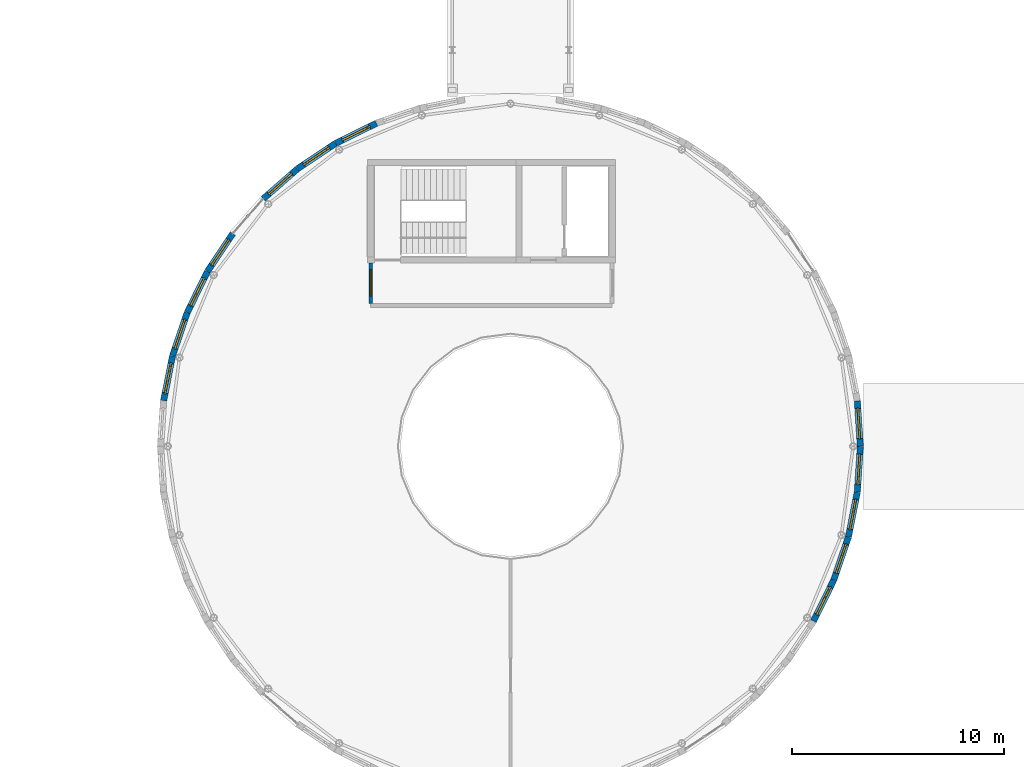
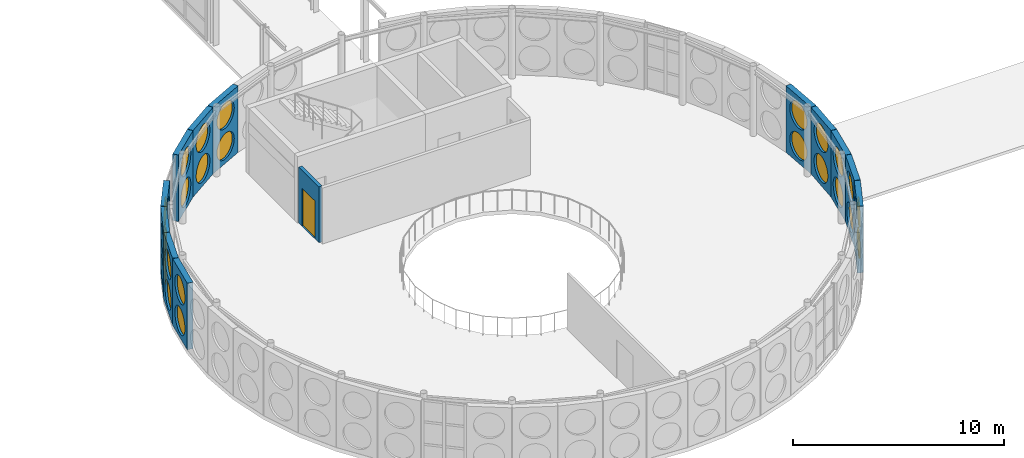
# One storey, part 160 of 189: 24 windows, 13 walls, 1 door, 25 openings.
"""IFC4 building model written with IfcOpenShell, lengths in metres."""

from ifc_helpers import new_model, si_unit, direction, frame, frame_2d, origin, place, context, subcontext, project, spatial, rectangle, circle, extrude, material, layer, layer_set, type_object, element, fill, save


model = new_model("IFC4")

# Units and contexts
model_context = context("Model", 3, precision=1e-05, world=origin(), true_north=direction((0.0, 1.0)))
body_context = subcontext(model_context, "Body", "Model", "MODEL_VIEW")
ifc_project = project(units=[si_unit("LENGTHUNIT", "METRE"), si_unit("AREAUNIT", "SQUARE_METRE"), si_unit("VOLUMEUNIT", "CUBIC_METRE"), si_unit("PLANEANGLEUNIT", "RADIAN"), si_unit("MASSUNIT", "GRAM", prefix="KILO")], contexts=[model_context])

# Site, building, storey
site_placement = place(None, origin())
site = spatial("IfcSite", under=ifc_project, at=site_placement, CompositionType="ELEMENT")
building_placement = place(site_placement, origin())
building = spatial("IfcBuilding", under=site, at=building_placement, Name="Montecoro Central Library", CompositionType="ELEMENT")
storey_placement = place(building_placement, frame((0.0, 0.0, 9.179931640625)))
storey = spatial("IfcBuildingStorey", under=building, at=storey_placement, Name="L02", CompositionType="ELEMENT", Elevation=9.179931640625)

# Wall, openings, windows
ifc_material_1 = material(Name="Travertine Roman Stone and concrete C35/45", Category="masonry")
ifc_layer_1 = layer(ifc_material_1, 0.294921875)
ifc_layer_set_1 = layer_set([ifc_layer_1], Name="Travertine Roman Stone and concrete C35/45")
wall_type_1 = type_object("IfcWallType", Name="EW-DRM-295", PredefinedType="SOLIDWALL", material=ifc_layer_set_1)
wall_1_placement = place(storey_placement, frame((108.118896484375, 35.407958984375, 0.0), z_axis=(0.0, 0.0, 1.0), x_axis=(-0.064773567518, 0.997899987449, 0.0)))
wall_1 = element("IfcWall", 1, at=wall_1_placement, inside=storey, type_object=wall_type_1, Name="V1-L02-EW-01", PredefinedType="SOLIDWALL", context=body_context, shape_type="SweptSolid", body=[
    extrude(rectangle(XDim=2.14453125, YDim=0.294921875, at=frame_2d((1.072265625, 0.0))), origin(), (0.0, 0.0, 1.0), 3.85498046875),
])
opening_1_placement = place(wall_1_placement, frame((0.33203125, 0.0, 0.25)))
opening_1 = element("IfcOpeningElement", 2, at=opening_1_placement, cuts=wall_1, Name="Opening WP-04", PredefinedType="OPENING", context=body_context, shape_type="SweptSolid", body=[
    extrude(circle(Radius=0.739990234375, at=frame_2d((0.739990234375, 0.739990234375))), frame((0.0, 0.157470703125, 0.0), z_axis=(0.0, -1.0, 0.0), x_axis=(1.0, 0.0, 0.0)), (0.0, 0.0, 1.0), 0.31494140625),
])
opening_2_placement = place(wall_1_placement, frame((0.33203125, 0.0, 2.030029296875)))
opening_2 = element("IfcOpeningElement", 3, at=opening_2_placement, cuts=wall_1, Name="Opening WP-03", PredefinedType="OPENING", context=body_context, shape_type="SweptSolid", body=[
    extrude(circle(Radius=0.739990234375, at=frame_2d((0.739990234375, 0.739990234375))), frame((0.0, 0.157470703125, 0.0), z_axis=(0.0, -1.0, 0.0), x_axis=(1.0, 0.0, 0.0)), (0.0, 0.0, 1.0), 0.31494140625),
])
ifc_material_2 = material(Name="Clear sky-blue low-E laminated glazing", Category="glass")
window_type_1 = type_object("IfcWindowType", Name="WN-POR-CLR-148", PartitioningType="SINGLE_PANEL", PredefinedType="WINDOW", material=ifc_material_2)
window_1_placement = place(opening_2_placement, origin())
window_1 = element("IfcWindow", 4, at=window_1_placement, inside=storey, type_object=window_type_1, Name="V1-L02-WP-01-2", OverallHeight=1.47998046875, OverallWidth=1.47998046875, PartitioningType="SINGLE_PANEL", PredefinedType="WINDOW", context=body_context, shape_type="SweptSolid", body=[
    extrude(circle(Radius=0.739990234375, at=frame_2d((0.739990234375, 0.739990234375))), frame((0.0, 0.030029296875, 0.0), z_axis=(0.0, -1.0, 0.0), x_axis=(1.0, 0.0, 0.0)), (0.0, 0.0, 1.0), 0.06005859375),
])
fill(opening_2, window_1)
ifc_material_3 = material(Name="Frosted pearl-white ceramic-fritted glazing", Category="glass")
window_type_2 = type_object("IfcWindowType", Name="WN-POR-FRT-148", PartitioningType="SINGLE_PANEL", PredefinedType="WINDOW", material=ifc_material_3)
window_2_placement = place(opening_1_placement, origin())
window_2 = element("IfcWindow", 5, at=window_2_placement, inside=storey, type_object=window_type_2, Name="V1-L02-WP-01-1", OverallHeight=1.47998046875, OverallWidth=1.47998046875, PartitioningType="SINGLE_PANEL", PredefinedType="WINDOW", context=body_context, shape_type="SweptSolid", body=[
    extrude(circle(Radius=0.739990234375, at=frame_2d((0.739990234375, 0.739990234375))), frame((0.0, 0.030029296875, 0.0), z_axis=(0.0, -1.0, 0.0), x_axis=(1.0, 0.0, 0.0)), (0.0, 0.0, 1.0), 0.06005859375),
])
fill(opening_1, window_2)

wall_2_placement = place(storey_placement, frame((85.27099609375, 50.657958984375, 0.0), z_axis=(0.0, 0.0, 1.0), x_axis=(-0.897210232885, -0.441603666205, 0.0)))
wall_2 = element("IfcWall", 6, at=wall_2_placement, inside=storey, type_object=wall_type_1, Name="V1-L02-EW-16", PredefinedType="SOLIDWALL", context=body_context, shape_type="SweptSolid", body=[
    extrude(rectangle(XDim=2.14453125, YDim=0.294921875, at=frame_2d((1.072265625, 0.0))), origin(), (0.0, 0.0, 1.0), 3.85498046875),
])
opening_3_placement = place(wall_2_placement, frame((0.33203125, 0.0, 0.25)))
opening_3 = element("IfcOpeningElement", 7, at=opening_3_placement, cuts=wall_2, Name="Opening WP-03", PredefinedType="OPENING", context=body_context, shape_type="SweptSolid", body=[
    extrude(circle(Radius=0.739990234375, at=frame_2d((0.739990234375, 0.739990234375))), frame((0.0, 0.157470703125, 0.0), z_axis=(0.0, -1.0, 0.0), x_axis=(1.0, 0.0, 0.0)), (0.0, 0.0, 1.0), 0.31494140625),
])
opening_4_placement = place(wall_2_placement, frame((0.33203125, 0.0, 2.030029296875)))
opening_4 = element("IfcOpeningElement", 8, at=opening_4_placement, cuts=wall_2, Name="Opening WP-04", PredefinedType="OPENING", context=body_context, shape_type="SweptSolid", body=[
    extrude(circle(Radius=0.739990234375, at=frame_2d((0.739990234375, 0.739990234375))), frame((0.0, 0.157470703125, 0.0), z_axis=(0.0, -1.0, 0.0), x_axis=(1.0, 0.0, 0.0)), (0.0, 0.0, 1.0), 0.31494140625),
])
window_3_placement = place(opening_3_placement, origin())
window_3 = element("IfcWindow", 9, at=window_3_placement, inside=storey, type_object=window_type_1, Name="V1-L02-WP-16-1", OverallHeight=1.47998046875, OverallWidth=1.47998046875, PartitioningType="SINGLE_PANEL", PredefinedType="WINDOW", context=body_context, shape_type="SweptSolid", body=[
    extrude(circle(Radius=0.739990234375, at=frame_2d((0.739990234375, 0.739990234375))), frame((0.0, 0.030029296875, 0.0), z_axis=(0.0, -1.0, 0.0), x_axis=(1.0, 0.0, 0.0)), (0.0, 0.0, 1.0), 0.06005859375),
])
fill(opening_3, window_3)
window_4_placement = place(opening_4_placement, origin())
window_4 = element("IfcWindow", 10, at=window_4_placement, inside=storey, type_object=window_type_2, Name="V1-L02-WP-16-2", OverallHeight=1.47998046875, OverallWidth=1.47998046875, PartitioningType="SINGLE_PANEL", PredefinedType="WINDOW", context=body_context, shape_type="SweptSolid", body=[
    extrude(circle(Radius=0.739990234375, at=frame_2d((0.739990234375, 0.739990234375))), frame((0.0, 0.030029296875, 0.0), z_axis=(0.0, -1.0, 0.0), x_axis=(1.0, 0.0, 0.0)), (0.0, 0.0, 1.0), 0.06005859375),
])
fill(opening_4, window_4)

wall_3_placement = place(storey_placement, frame((83.3330078125, 49.702880859375, 0.0), z_axis=(0.0, 0.0, 1.0), x_axis=(-0.831138710759, -0.556065143197, 0.0)))
wall_3 = element("IfcWall", 11, at=wall_3_placement, inside=storey, type_object=wall_type_1, Name="V1-L02-EW-17", PredefinedType="SOLIDWALL", context=body_context, shape_type="SweptSolid", body=[
    extrude(rectangle(XDim=2.145263671875, YDim=0.294921875, at=frame_2d((1.07275390625, 0.0))), origin(), (0.0, 0.0, 1.0), 3.85498046875),
])
opening_5_placement = place(wall_3_placement, frame((0.3330078125, 0.0, 0.25)))
opening_5 = element("IfcOpeningElement", 12, at=opening_5_placement, cuts=wall_3, Name="Opening WP-04", PredefinedType="OPENING", context=body_context, shape_type="SweptSolid", body=[
    extrude(circle(Radius=0.739990234375, at=frame_2d((0.739990234375, 0.739990234375))), frame((0.0, 0.157470703125, 0.0), z_axis=(0.0, -1.0, 0.0), x_axis=(1.0, 0.0, 0.0)), (0.0, 0.0, 1.0), 0.31494140625),
])
opening_6_placement = place(wall_3_placement, frame((0.3330078125, 0.0, 2.030029296875)))
opening_6 = element("IfcOpeningElement", 13, at=opening_6_placement, cuts=wall_3, Name="Opening WP-03", PredefinedType="OPENING", context=body_context, shape_type="SweptSolid", body=[
    extrude(circle(Radius=0.739990234375, at=frame_2d((0.739990234375, 0.739990234375))), frame((0.0, 0.157470703125, 0.0), z_axis=(0.0, -1.0, 0.0), x_axis=(1.0, 0.0, 0.0)), (0.0, 0.0, 1.0), 0.31494140625),
])
window_5_placement = place(opening_6_placement, origin())
window_5 = element("IfcWindow", 14, at=window_5_placement, inside=storey, type_object=window_type_1, Name="V1-L02-WP-17-2", OverallHeight=1.47998046875, OverallWidth=1.47998046875, PartitioningType="SINGLE_PANEL", PredefinedType="WINDOW", context=body_context, shape_type="SweptSolid", body=[
    extrude(circle(Radius=0.739990234375, at=frame_2d((0.739990234375, 0.739990234375))), frame((0.0, 0.030029296875, 0.0), z_axis=(0.0, -1.0, 0.0), x_axis=(1.0, 0.0, 0.0)), (0.0, 0.0, 1.0), 0.06005859375),
])
fill(opening_6, window_5)
window_6_placement = place(opening_5_placement, origin())
window_6 = element("IfcWindow", 15, at=window_6_placement, inside=storey, type_object=window_type_2, Name="V1-L02-WP-17-1", OverallHeight=1.47998046875, OverallWidth=1.47998046875, PartitioningType="SINGLE_PANEL", PredefinedType="WINDOW", context=body_context, shape_type="SweptSolid", body=[
    extrude(circle(Radius=0.739990234375, at=frame_2d((0.739990234375, 0.739990234375))), frame((0.0, 0.030029296875, 0.0), z_axis=(0.0, -1.0, 0.0), x_axis=(1.0, 0.0, 0.0)), (0.0, 0.0, 1.0), 0.06005859375),
])
fill(opening_5, window_6)

wall_4_placement = place(storey_placement, frame((81.537109375, 48.5009765625, 0.0), z_axis=(0.0, 0.0, 1.0), x_axis=(-0.751539314958, -0.659688303725, 0.0)))
wall_4 = element("IfcWall", 16, at=wall_4_placement, inside=storey, type_object=wall_type_1, Name="V1-L02-EW-18", PredefinedType="SOLIDWALL", context=body_context, shape_type="SweptSolid", body=[
    extrude(rectangle(XDim=2.14501953125, YDim=0.294921875, at=frame_2d((1.072509765625, 0.0))), origin(), (0.0, 0.0, 1.0), 3.85498046875),
])
opening_7_placement = place(wall_4_placement, frame((0.33203125, 0.0, 0.25)))
opening_7 = element("IfcOpeningElement", 17, at=opening_7_placement, cuts=wall_4, Name="Opening WP-03", PredefinedType="OPENING", context=body_context, shape_type="SweptSolid", body=[
    extrude(circle(Radius=0.739990234375, at=frame_2d((0.739990234375, 0.739990234375))), frame((0.0, 0.157470703125, 0.0), z_axis=(0.0, -1.0, 0.0), x_axis=(1.0, 0.0, 0.0)), (0.0, 0.0, 1.0), 0.31494140625),
])
opening_8_placement = place(wall_4_placement, frame((0.33203125, 0.0, 2.030029296875)))
opening_8 = element("IfcOpeningElement", 18, at=opening_8_placement, cuts=wall_4, Name="Opening WP-04", PredefinedType="OPENING", context=body_context, shape_type="SweptSolid", body=[
    extrude(circle(Radius=0.739990234375, at=frame_2d((0.739990234375, 0.739990234375))), frame((0.0, 0.157470703125, 0.0), z_axis=(0.0, -1.0, 0.0), x_axis=(1.0, 0.0, 0.0)), (0.0, 0.0, 1.0), 0.31494140625),
])
window_7_placement = place(opening_7_placement, origin())
window_7 = element("IfcWindow", 19, at=window_7_placement, inside=storey, type_object=window_type_1, Name="V1-L02-WP-18-1", OverallHeight=1.47998046875, OverallWidth=1.47998046875, PartitioningType="SINGLE_PANEL", PredefinedType="WINDOW", context=body_context, shape_type="SweptSolid", body=[
    extrude(circle(Radius=0.739990234375, at=frame_2d((0.739990234375, 0.739990234375))), frame((0.0, 0.030029296875, 0.0), z_axis=(0.0, -1.0, 0.0), x_axis=(1.0, 0.0, 0.0)), (0.0, 0.0, 1.0), 0.06005859375),
])
fill(opening_7, window_7)
window_8_placement = place(opening_8_placement, origin())
window_8 = element("IfcWindow", 20, at=window_8_placement, inside=storey, type_object=window_type_2, Name="V1-L02-WP-18-2", OverallHeight=1.47998046875, OverallWidth=1.47998046875, PartitioningType="SINGLE_PANEL", PredefinedType="WINDOW", context=body_context, shape_type="SweptSolid", body=[
    extrude(circle(Radius=0.739990234375, at=frame_2d((0.739990234375, 0.739990234375))), frame((0.0, 0.030029296875, 0.0), z_axis=(0.0, -1.0, 0.0), x_axis=(1.0, 0.0, 0.0)), (0.0, 0.0, 1.0), 0.06005859375),
])
fill(opening_8, window_8)

wall_5_placement = place(storey_placement, frame((78.489990234375, 45.449951171875, 0.0), z_axis=(0.0, 0.0, 1.0), x_axis=(-0.556065143197, -0.831138710759, 0.0)))
wall_5 = element("IfcWall", 21, at=wall_5_placement, inside=storey, type_object=wall_type_1, Name="V1-L02-EW-20", PredefinedType="SOLIDWALL", context=body_context, shape_type="SweptSolid", body=[
    extrude(rectangle(XDim=2.145263671875, YDim=0.294921875, at=frame_2d((1.07275390625, 0.0))), origin(), (0.0, 0.0, 1.0), 3.85498046875),
])
opening_9_placement = place(wall_5_placement, frame((0.3330078125, 0.0, 0.25)))
opening_9 = element("IfcOpeningElement", 22, at=opening_9_placement, cuts=wall_5, Name="Opening WP-03", PredefinedType="OPENING", context=body_context, shape_type="SweptSolid", body=[
    extrude(circle(Radius=0.739990234375, at=frame_2d((0.739990234375, 0.739990234375))), frame((0.0, 0.157470703125, 0.0), z_axis=(0.0, -1.0, 0.0), x_axis=(1.0, 0.0, 0.0)), (0.0, 0.0, 1.0), 0.31494140625),
])
opening_10_placement = place(wall_5_placement, frame((0.3330078125, 0.0, 2.030029296875)))
opening_10 = element("IfcOpeningElement", 23, at=opening_10_placement, cuts=wall_5, Name="Opening WP-04", PredefinedType="OPENING", context=body_context, shape_type="SweptSolid", body=[
    extrude(circle(Radius=0.739990234375, at=frame_2d((0.739990234375, 0.739990234375))), frame((0.0, 0.157470703125, 0.0), z_axis=(0.0, -1.0, 0.0), x_axis=(1.0, 0.0, 0.0)), (0.0, 0.0, 1.0), 0.31494140625),
])
window_9_placement = place(opening_9_placement, origin())
window_9 = element("IfcWindow", 24, at=window_9_placement, inside=storey, type_object=window_type_1, Name="V1-L02-WP-20-1", OverallHeight=1.47998046875, OverallWidth=1.47998046875, PartitioningType="SINGLE_PANEL", PredefinedType="WINDOW", context=body_context, shape_type="SweptSolid", body=[
    extrude(circle(Radius=0.739990234375, at=frame_2d((0.739990234375, 0.739990234375))), frame((0.0, 0.030029296875, 0.0), z_axis=(0.0, -1.0, 0.0), x_axis=(1.0, 0.0, 0.0)), (0.0, 0.0, 1.0), 0.06005859375),
])
fill(opening_9, window_9)
window_10_placement = place(opening_10_placement, origin())
window_10 = element("IfcWindow", 25, at=window_10_placement, inside=storey, type_object=window_type_2, Name="V1-L02-WP-20-2", OverallHeight=1.47998046875, OverallWidth=1.47998046875, PartitioningType="SINGLE_PANEL", PredefinedType="WINDOW", context=body_context, shape_type="SweptSolid", body=[
    extrude(circle(Radius=0.739990234375, at=frame_2d((0.739990234375, 0.739990234375))), frame((0.0, 0.030029296875, 0.0), z_axis=(0.0, -1.0, 0.0), x_axis=(1.0, 0.0, 0.0)), (0.0, 0.0, 1.0), 0.06005859375),
])
fill(opening_10, window_10)

wall_6_placement = place(storey_placement, frame((77.2890625, 43.653076171875, 0.0), z_axis=(0.0, 0.0, 1.0), x_axis=(-0.441603666205, -0.897210232885, 0.0)))
wall_6 = element("IfcWall", 26, at=wall_6_placement, inside=storey, type_object=wall_type_1, Name="V1-L02-EW-21", PredefinedType="SOLIDWALL", context=body_context, shape_type="SweptSolid", body=[
    extrude(rectangle(XDim=2.14453125, YDim=0.294921875, at=frame_2d((1.072265625, 0.0))), origin(), (0.0, 0.0, 1.0), 3.85498046875),
])
opening_11_placement = place(wall_6_placement, frame((0.33203125, 0.0, 0.25)))
opening_11 = element("IfcOpeningElement", 27, at=opening_11_placement, cuts=wall_6, Name="Opening WP-04", PredefinedType="OPENING", context=body_context, shape_type="SweptSolid", body=[
    extrude(circle(Radius=0.739990234375, at=frame_2d((0.739990234375, 0.739990234375))), frame((0.0, 0.157470703125, 0.0), z_axis=(0.0, -1.0, 0.0), x_axis=(1.0, 0.0, 0.0)), (0.0, 0.0, 1.0), 0.31494140625),
])
opening_12_placement = place(wall_6_placement, frame((0.33203125, 0.0, 2.030029296875)))
opening_12 = element("IfcOpeningElement", 28, at=opening_12_placement, cuts=wall_6, Name="Opening WP-03", PredefinedType="OPENING", context=body_context, shape_type="SweptSolid", body=[
    extrude(circle(Radius=0.739990234375, at=frame_2d((0.739990234375, 0.739990234375))), frame((0.0, 0.157470703125, 0.0), z_axis=(0.0, -1.0, 0.0), x_axis=(1.0, 0.0, 0.0)), (0.0, 0.0, 1.0), 0.31494140625),
])
window_11_placement = place(opening_12_placement, origin())
window_11 = element("IfcWindow", 29, at=window_11_placement, inside=storey, type_object=window_type_1, Name="V1-L02-WP-21-2", OverallHeight=1.47998046875, OverallWidth=1.47998046875, PartitioningType="SINGLE_PANEL", PredefinedType="WINDOW", context=body_context, shape_type="SweptSolid", body=[
    extrude(circle(Radius=0.739990234375, at=frame_2d((0.739990234375, 0.739990234375))), frame((0.0, 0.030029296875, 0.0), z_axis=(0.0, -1.0, 0.0), x_axis=(1.0, 0.0, 0.0)), (0.0, 0.0, 1.0), 0.06005859375),
])
fill(opening_12, window_11)
window_12_placement = place(opening_11_placement, origin())
window_12 = element("IfcWindow", 30, at=window_12_placement, inside=storey, type_object=window_type_2, Name="V1-L02-WP-21-1", OverallHeight=1.47998046875, OverallWidth=1.47998046875, PartitioningType="SINGLE_PANEL", PredefinedType="WINDOW", context=body_context, shape_type="SweptSolid", body=[
    extrude(circle(Radius=0.739990234375, at=frame_2d((0.739990234375, 0.739990234375))), frame((0.0, 0.030029296875, 0.0), z_axis=(0.0, -1.0, 0.0), x_axis=(1.0, 0.0, 0.0)), (0.0, 0.0, 1.0), 0.06005859375),
])
fill(opening_11, window_12)

wall_7_placement = place(storey_placement, frame((76.3349609375, 41.714111328125, 0.0), z_axis=(0.0, 0.0, 1.0), x_axis=(-0.321382058047, -0.946949614692, 0.0)))
wall_7 = element("IfcWall", 31, at=wall_7_placement, inside=storey, type_object=wall_type_1, Name="V1-L02-EW-22", PredefinedType="SOLIDWALL", context=body_context, shape_type="SweptSolid", body=[
    extrude(rectangle(XDim=2.143798828125, YDim=0.294921875, at=frame_2d((1.07177734375, 0.0))), origin(), (0.0, 0.0, 1.0), 3.85498046875),
])
opening_13_placement = place(wall_7_placement, frame((0.33203125, 0.0, 0.25)))
opening_13 = element("IfcOpeningElement", 32, at=opening_13_placement, cuts=wall_7, Name="Opening WP-03", PredefinedType="OPENING", context=body_context, shape_type="SweptSolid", body=[
    extrude(circle(Radius=0.739990234375, at=frame_2d((0.739990234375, 0.739990234375))), frame((0.0, 0.157470703125, 0.0), z_axis=(0.0, -1.0, 0.0), x_axis=(1.0, 0.0, 0.0)), (0.0, 0.0, 1.0), 0.31494140625),
])
opening_14_placement = place(wall_7_placement, frame((0.33203125, 0.0, 2.030029296875)))
opening_14 = element("IfcOpeningElement", 33, at=opening_14_placement, cuts=wall_7, Name="Opening WP-04", PredefinedType="OPENING", context=body_context, shape_type="SweptSolid", body=[
    extrude(circle(Radius=0.739990234375, at=frame_2d((0.739990234375, 0.739990234375))), frame((0.0, 0.157470703125, 0.0), z_axis=(0.0, -1.0, 0.0), x_axis=(1.0, 0.0, 0.0)), (0.0, 0.0, 1.0), 0.31494140625),
])
window_13_placement = place(opening_13_placement, origin())
window_13 = element("IfcWindow", 34, at=window_13_placement, inside=storey, type_object=window_type_1, Name="V1-L02-WP-22-1", OverallHeight=1.47998046875, OverallWidth=1.47998046875, PartitioningType="SINGLE_PANEL", PredefinedType="WINDOW", context=body_context, shape_type="SweptSolid", body=[
    extrude(circle(Radius=0.739990234375, at=frame_2d((0.739990234375, 0.739990234375))), frame((0.0, 0.030029296875, 0.0), z_axis=(0.0, -1.0, 0.0), x_axis=(1.0, 0.0, 0.0)), (0.0, 0.0, 1.0), 0.06005859375),
])
fill(opening_13, window_13)
window_14_placement = place(opening_14_placement, origin())
window_14 = element("IfcWindow", 35, at=window_14_placement, inside=storey, type_object=window_type_2, Name="V1-L02-WP-22-2", OverallHeight=1.47998046875, OverallWidth=1.47998046875, PartitioningType="SINGLE_PANEL", PredefinedType="WINDOW", context=body_context, shape_type="SweptSolid", body=[
    extrude(circle(Radius=0.739990234375, at=frame_2d((0.739990234375, 0.739990234375))), frame((0.0, 0.030029296875, 0.0), z_axis=(0.0, -1.0, 0.0), x_axis=(1.0, 0.0, 0.0)), (0.0, 0.0, 1.0), 0.06005859375),
])
fill(opening_14, window_14)

wall_8_placement = place(storey_placement, frame((75.64111328125, 39.66796875, 0.0), z_axis=(0.0, 0.0, 1.0), x_axis=(-0.194956014446, -0.98081198628, 0.0)))
wall_8 = element("IfcWall", 36, at=wall_8_placement, inside=storey, type_object=wall_type_1, Name="V1-L02-EW-23", PredefinedType="SOLIDWALL", context=body_context, shape_type="SweptSolid", body=[
    extrude(rectangle(XDim=2.145263671875, YDim=0.294921875, at=frame_2d((1.07275390625, 0.0))), origin(), (0.0, 0.0, 1.0), 3.85498046875),
])
opening_15_placement = place(wall_8_placement, frame((0.3330078125, 0.0, 0.25)))
opening_15 = element("IfcOpeningElement", 37, at=opening_15_placement, cuts=wall_8, Name="Opening WP-04", PredefinedType="OPENING", context=body_context, shape_type="SweptSolid", body=[
    extrude(circle(Radius=0.739990234375, at=frame_2d((0.739990234375, 0.739990234375))), frame((0.0, 0.157470703125, 0.0), z_axis=(0.0, -1.0, 0.0), x_axis=(1.0, 0.0, 0.0)), (0.0, 0.0, 1.0), 0.31494140625),
])
opening_16_placement = place(wall_8_placement, frame((0.3330078125, 0.0, 2.030029296875)))
opening_16 = element("IfcOpeningElement", 38, at=opening_16_placement, cuts=wall_8, Name="Opening WP-03", PredefinedType="OPENING", context=body_context, shape_type="SweptSolid", body=[
    extrude(circle(Radius=0.739990234375, at=frame_2d((0.739990234375, 0.739990234375))), frame((0.0, 0.157470703125, 0.0), z_axis=(0.0, -1.0, 0.0), x_axis=(1.0, 0.0, 0.0)), (0.0, 0.0, 1.0), 0.31494140625),
])
window_15_placement = place(opening_16_placement, origin())
window_15 = element("IfcWindow", 39, at=window_15_placement, inside=storey, type_object=window_type_1, Name="V1-L02-WP-23-2", OverallHeight=1.47998046875, OverallWidth=1.47998046875, PartitioningType="SINGLE_PANEL", PredefinedType="WINDOW", context=body_context, shape_type="SweptSolid", body=[
    extrude(circle(Radius=0.739990234375, at=frame_2d((0.739990234375, 0.739990234375))), frame((0.0, 0.030029296875, 0.0), z_axis=(0.0, -1.0, 0.0), x_axis=(1.0, 0.0, 0.0)), (0.0, 0.0, 1.0), 0.06005859375),
])
fill(opening_16, window_15)
window_16_placement = place(opening_15_placement, origin())
window_16 = element("IfcWindow", 40, at=window_16_placement, inside=storey, type_object=window_type_2, Name="V1-L02-WP-23-1", OverallHeight=1.47998046875, OverallWidth=1.47998046875, PartitioningType="SINGLE_PANEL", PredefinedType="WINDOW", context=body_context, shape_type="SweptSolid", body=[
    extrude(circle(Radius=0.739990234375, at=frame_2d((0.739990234375, 0.739990234375))), frame((0.0, 0.030029296875, 0.0), z_axis=(0.0, -1.0, 0.0), x_axis=(1.0, 0.0, 0.0)), (0.0, 0.0, 1.0), 0.06005859375),
])
fill(opening_15, window_16)

wall_9_placement = place(storey_placement, frame((105.910888671875, 27.14697265625, 0.0), z_axis=(0.0, 0.0, 1.0), x_axis=(0.441603666205, 0.897210232885, 0.0)))
wall_9 = element("IfcWall", 41, at=wall_9_placement, inside=storey, type_object=wall_type_1, Name="V1-L02-EW-45", PredefinedType="SOLIDWALL", context=body_context, shape_type="SweptSolid", body=[
    extrude(rectangle(XDim=2.14453125, YDim=0.294921875, at=frame_2d((1.072265625, 0.0))), origin(), (0.0, 0.0, 1.0), 3.85498046875),
])
opening_17_placement = place(wall_9_placement, frame((0.33203125, 0.0, 0.25)))
opening_17 = element("IfcOpeningElement", 42, at=opening_17_placement, cuts=wall_9, Name="Opening WP-04", PredefinedType="OPENING", context=body_context, shape_type="SweptSolid", body=[
    extrude(circle(Radius=0.739990234375, at=frame_2d((0.739990234375, 0.739990234375))), frame((0.0, 0.157470703125, 0.0), z_axis=(0.0, -1.0, 0.0), x_axis=(1.0, 0.0, 0.0)), (0.0, 0.0, 1.0), 0.31494140625),
])
opening_18_placement = place(wall_9_placement, frame((0.33203125, 0.0, 2.030029296875)))
opening_18 = element("IfcOpeningElement", 43, at=opening_18_placement, cuts=wall_9, Name="Opening WP-03", PredefinedType="OPENING", context=body_context, shape_type="SweptSolid", body=[
    extrude(circle(Radius=0.739990234375, at=frame_2d((0.739990234375, 0.739990234375))), frame((0.0, 0.157470703125, 0.0), z_axis=(0.0, -1.0, 0.0), x_axis=(1.0, 0.0, 0.0)), (0.0, 0.0, 1.0), 0.31494140625),
])
window_17_placement = place(opening_18_placement, origin())
window_17 = element("IfcWindow", 44, at=window_17_placement, inside=storey, type_object=window_type_1, Name="V1-L02-WP-45-2", OverallHeight=1.47998046875, OverallWidth=1.47998046875, PartitioningType="SINGLE_PANEL", PredefinedType="WINDOW", context=body_context, shape_type="SweptSolid", body=[
    extrude(circle(Radius=0.739990234375, at=frame_2d((0.739990234375, 0.739990234375))), frame((0.0, 0.030029296875, 0.0), z_axis=(0.0, -1.0, 0.0), x_axis=(1.0, 0.0, 0.0)), (0.0, 0.0, 1.0), 0.06005859375),
])
fill(opening_18, window_17)
window_18_placement = place(opening_17_placement, origin())
window_18 = element("IfcWindow", 45, at=window_18_placement, inside=storey, type_object=window_type_2, Name="V1-L02-WP-45-1", OverallHeight=1.47998046875, OverallWidth=1.47998046875, PartitioningType="SINGLE_PANEL", PredefinedType="WINDOW", context=body_context, shape_type="SweptSolid", body=[
    extrude(circle(Radius=0.739990234375, at=frame_2d((0.739990234375, 0.739990234375))), frame((0.0, 0.030029296875, 0.0), z_axis=(0.0, -1.0, 0.0), x_axis=(1.0, 0.0, 0.0)), (0.0, 0.0, 1.0), 0.06005859375),
])
fill(opening_17, window_18)

wall_10_placement = place(storey_placement, frame((106.864990234375, 29.0859375, 0.0), z_axis=(0.0, 0.0, 1.0), x_axis=(0.321382058047, 0.946949614692, 0.0)))
wall_10 = element("IfcWall", 46, at=wall_10_placement, inside=storey, type_object=wall_type_1, Name="V1-L02-EW-46", PredefinedType="SOLIDWALL", context=body_context, shape_type="SweptSolid", body=[
    extrude(rectangle(XDim=2.143798828125, YDim=0.294921875, at=frame_2d((1.07177734375, 0.0))), origin(), (0.0, 0.0, 1.0), 3.85498046875),
])
opening_19_placement = place(wall_10_placement, frame((0.33203125, 0.0, 0.25)))
opening_19 = element("IfcOpeningElement", 47, at=opening_19_placement, cuts=wall_10, Name="Opening WP-03", PredefinedType="OPENING", context=body_context, shape_type="SweptSolid", body=[
    extrude(circle(Radius=0.739990234375, at=frame_2d((0.739990234375, 0.739990234375))), frame((0.0, 0.157470703125, 0.0), z_axis=(0.0, -1.0, 0.0), x_axis=(1.0, 0.0, 0.0)), (0.0, 0.0, 1.0), 0.31494140625),
])
opening_20_placement = place(wall_10_placement, frame((0.33203125, 0.0, 2.030029296875)))
opening_20 = element("IfcOpeningElement", 48, at=opening_20_placement, cuts=wall_10, Name="Opening WP-04", PredefinedType="OPENING", context=body_context, shape_type="SweptSolid", body=[
    extrude(circle(Radius=0.739990234375, at=frame_2d((0.739990234375, 0.739990234375))), frame((0.0, 0.157470703125, 0.0), z_axis=(0.0, -1.0, 0.0), x_axis=(1.0, 0.0, 0.0)), (0.0, 0.0, 1.0), 0.31494140625),
])
window_19_placement = place(opening_19_placement, origin())
window_19 = element("IfcWindow", 49, at=window_19_placement, inside=storey, type_object=window_type_1, Name="V1-L02-WP-46-1", OverallHeight=1.47998046875, OverallWidth=1.47998046875, PartitioningType="SINGLE_PANEL", PredefinedType="WINDOW", context=body_context, shape_type="SweptSolid", body=[
    extrude(circle(Radius=0.739990234375, at=frame_2d((0.739990234375, 0.739990234375))), frame((0.0, 0.030029296875, 0.0), z_axis=(0.0, -1.0, 0.0), x_axis=(1.0, 0.0, 0.0)), (0.0, 0.0, 1.0), 0.06005859375),
])
fill(opening_19, window_19)
window_20_placement = place(opening_20_placement, origin())
window_20 = element("IfcWindow", 50, at=window_20_placement, inside=storey, type_object=window_type_2, Name="V1-L02-WP-46-2", OverallHeight=1.47998046875, OverallWidth=1.47998046875, PartitioningType="SINGLE_PANEL", PredefinedType="WINDOW", context=body_context, shape_type="SweptSolid", body=[
    extrude(circle(Radius=0.739990234375, at=frame_2d((0.739990234375, 0.739990234375))), frame((0.0, 0.030029296875, 0.0), z_axis=(0.0, -1.0, 0.0), x_axis=(1.0, 0.0, 0.0)), (0.0, 0.0, 1.0), 0.06005859375),
])
fill(opening_20, window_20)

wall_11_placement = place(storey_placement, frame((107.55908203125, 31.132080078125, 0.0), z_axis=(0.0, 0.0, 1.0), x_axis=(0.194846526766, 0.980833742796, 0.0)))
wall_11 = element("IfcWall", 51, at=wall_11_placement, inside=storey, type_object=wall_type_1, Name="V1-L02-EW-47", PredefinedType="SOLIDWALL", context=body_context, shape_type="SweptSolid", body=[
    extrude(rectangle(XDim=2.14501953125, YDim=0.294921875, at=frame_2d((1.072509765625, 0.0))), origin(), (0.0, 0.0, 1.0), 3.85498046875),
])
opening_21_placement = place(wall_11_placement, frame((0.3330078125, 0.0, 0.25)))
opening_21 = element("IfcOpeningElement", 52, at=opening_21_placement, cuts=wall_11, Name="Opening WP-04", PredefinedType="OPENING", context=body_context, shape_type="SweptSolid", body=[
    extrude(circle(Radius=0.739990234375, at=frame_2d((0.739990234375, 0.739990234375))), frame((0.0, 0.157470703125, 0.0), z_axis=(0.0, -1.0, 0.0), x_axis=(1.0, 0.0, 0.0)), (0.0, 0.0, 1.0), 0.31494140625),
])
opening_22_placement = place(wall_11_placement, frame((0.3330078125, 0.0, 2.030029296875)))
opening_22 = element("IfcOpeningElement", 53, at=opening_22_placement, cuts=wall_11, Name="Opening WP-03", PredefinedType="OPENING", context=body_context, shape_type="SweptSolid", body=[
    extrude(circle(Radius=0.739990234375, at=frame_2d((0.739990234375, 0.739990234375))), frame((0.0, 0.157470703125, 0.0), z_axis=(0.0, -1.0, 0.0), x_axis=(1.0, 0.0, 0.0)), (0.0, 0.0, 1.0), 0.31494140625),
])
window_21_placement = place(opening_22_placement, origin())
window_21 = element("IfcWindow", 54, at=window_21_placement, inside=storey, type_object=window_type_1, Name="V1-L02-WP-47-2", OverallHeight=1.47998046875, OverallWidth=1.47998046875, PartitioningType="SINGLE_PANEL", PredefinedType="WINDOW", context=body_context, shape_type="SweptSolid", body=[
    extrude(circle(Radius=0.739990234375, at=frame_2d((0.739990234375, 0.739990234375))), frame((0.0, 0.030029296875, 0.0), z_axis=(0.0, -1.0, 0.0), x_axis=(1.0, 0.0, 0.0)), (0.0, 0.0, 1.0), 0.06005859375),
])
fill(opening_22, window_21)
window_22_placement = place(opening_21_placement, origin())
window_22 = element("IfcWindow", 55, at=window_22_placement, inside=storey, type_object=window_type_2, Name="V1-L02-WP-47-1", OverallHeight=1.47998046875, OverallWidth=1.47998046875, PartitioningType="SINGLE_PANEL", PredefinedType="WINDOW", context=body_context, shape_type="SweptSolid", body=[
    extrude(circle(Radius=0.739990234375, at=frame_2d((0.739990234375, 0.739990234375))), frame((0.0, 0.030029296875, 0.0), z_axis=(0.0, -1.0, 0.0), x_axis=(1.0, 0.0, 0.0)), (0.0, 0.0, 1.0), 0.06005859375),
])
fill(opening_21, window_22)

wall_12_placement = place(storey_placement, frame((107.97998046875, 33.251953125, 0.0), z_axis=(0.0, 0.0, 1.0), x_axis=(0.064773567518, 0.997899987449, 0.0)))
wall_12 = element("IfcWall", 56, at=wall_12_placement, inside=storey, type_object=wall_type_1, Name="V1-L02-EW-48", PredefinedType="SOLIDWALL", context=body_context, shape_type="SweptSolid", body=[
    extrude(rectangle(XDim=2.14453125, YDim=0.294921875, at=frame_2d((1.072265625, 0.0))), origin(), (0.0, 0.0, 1.0), 3.85498046875),
])
opening_23_placement = place(wall_12_placement, frame((0.33203125, 0.0, 0.25)))
opening_23 = element("IfcOpeningElement", 57, at=opening_23_placement, cuts=wall_12, Name="Opening WP-03", PredefinedType="OPENING", context=body_context, shape_type="SweptSolid", body=[
    extrude(circle(Radius=0.739990234375, at=frame_2d((0.739990234375, 0.739990234375))), frame((0.0, 0.157470703125, 0.0), z_axis=(0.0, -1.0, 0.0), x_axis=(1.0, 0.0, 0.0)), (0.0, 0.0, 1.0), 0.31494140625),
])
opening_24_placement = place(wall_12_placement, frame((0.33203125, 0.0, 2.030029296875)))
opening_24 = element("IfcOpeningElement", 58, at=opening_24_placement, cuts=wall_12, Name="Opening WP-04", PredefinedType="OPENING", context=body_context, shape_type="SweptSolid", body=[
    extrude(circle(Radius=0.739990234375, at=frame_2d((0.739990234375, 0.739990234375))), frame((0.0, 0.157470703125, 0.0), z_axis=(0.0, -1.0, 0.0), x_axis=(1.0, 0.0, 0.0)), (0.0, 0.0, 1.0), 0.31494140625),
])
window_23_placement = place(opening_23_placement, origin())
window_23 = element("IfcWindow", 59, at=window_23_placement, inside=storey, type_object=window_type_1, Name="V1-L02-WP-48-1", OverallHeight=1.47998046875, OverallWidth=1.47998046875, PartitioningType="SINGLE_PANEL", PredefinedType="WINDOW", context=body_context, shape_type="SweptSolid", body=[
    extrude(circle(Radius=0.739990234375, at=frame_2d((0.739990234375, 0.739990234375))), frame((0.0, 0.030029296875, 0.0), z_axis=(0.0, -1.0, 0.0), x_axis=(1.0, 0.0, 0.0)), (0.0, 0.0, 1.0), 0.06005859375),
])
fill(opening_23, window_23)
window_24_placement = place(opening_24_placement, origin())
window_24 = element("IfcWindow", 60, at=window_24_placement, inside=storey, type_object=window_type_2, Name="V1-L02-WP-48-2", OverallHeight=1.47998046875, OverallWidth=1.47998046875, PartitioningType="SINGLE_PANEL", PredefinedType="WINDOW", context=body_context, shape_type="SweptSolid", body=[
    extrude(circle(Radius=0.739990234375, at=frame_2d((0.739990234375, 0.739990234375))), frame((0.0, 0.030029296875, 0.0), z_axis=(0.0, -1.0, 0.0), x_axis=(1.0, 0.0, 0.0)), (0.0, 0.0, 1.0), 0.06005859375),
])
fill(opening_24, window_24)

# Wall, opening, door
ifc_material_4 = material(Name="Gypsum fire-rated partition")
ifc_layer_2 = layer(ifc_material_4, 0.179931640625)
ifc_layer_set_2 = layer_set([ifc_layer_2], Name="Gypsum fire-rated partition")
wall_type_2 = type_object("IfcWallType", Name="IW-COR-180", PredefinedType="PARTITIONING", material=ifc_layer_set_2)
wall_13_placement = place(storey_placement, frame((85.0, 42.139892578125, 0.0), z_axis=(0.0, 0.0, 1.0), x_axis=(0.0, 1.0, 0.0)))
wall_13 = element("IfcWall", 61, at=wall_13_placement, inside=storey, type_object=wall_type_2, Name="V1-L02-FOY-WW", PredefinedType="PARTITIONING", context=body_context, shape_type="SweptSolid", body=[
    extrude(rectangle(XDim=1.91015625, YDim=0.179931640625, at=frame_2d((0.955078125, 0.0))), origin(), (0.0, 0.0, 1.0), 3.22998046875),
])
opening_25_placement = place(wall_13_placement, frame((0.35009765625, 0.0, 0.0)))
opening_25 = element("IfcOpeningElement", 62, at=opening_25_placement, cuts=wall_13, Name="Opening ID-09", PredefinedType="OPENING", context=body_context, shape_type="SweptSolid", body=[
    extrude(rectangle(XDim=1.260009765625, YDim=2.199951171875, at=frame_2d((0.6298828125, 1.10009765625))), frame((0.0, 0.099853515625, 0.0), z_axis=(0.0, -1.0, 0.0), x_axis=(1.0, 0.0, 0.0)), (0.0, 0.0, 1.0), 0.199951171875),
])
ifc_material_5 = material(Name="Solid oak and fire-rated steel door", Category="steel")
door_type = type_object("IfcDoorType", Name="ID-RDG-126", OperationType="NOTDEFINED", PredefinedType="DOOR", material=ifc_material_5)
door_placement = place(opening_25_placement, origin())
door = element("IfcDoor", 63, at=door_placement, inside=storey, type_object=door_type, Name="DR-SP-V1-L02-R1", OperationType="SINGLE_SWING_LEFT", OverallHeight=2.199951171875, OverallWidth=1.260009765625, PredefinedType="DOOR", context=body_context, shape_type="SweptSolid", body=[
    extrude(rectangle(XDim=1.260009765625, YDim=2.199951171875, at=frame_2d((0.6298828125, 1.10009765625))), frame((0.0, 0.02490234375, 0.0), z_axis=(0.0, -1.0, 0.0), x_axis=(1.0, 0.0, 0.0)), (0.0, 0.0, 1.0), 0.050048828125),
])
fill(opening_25, door)

save(model, "model.ifc")
